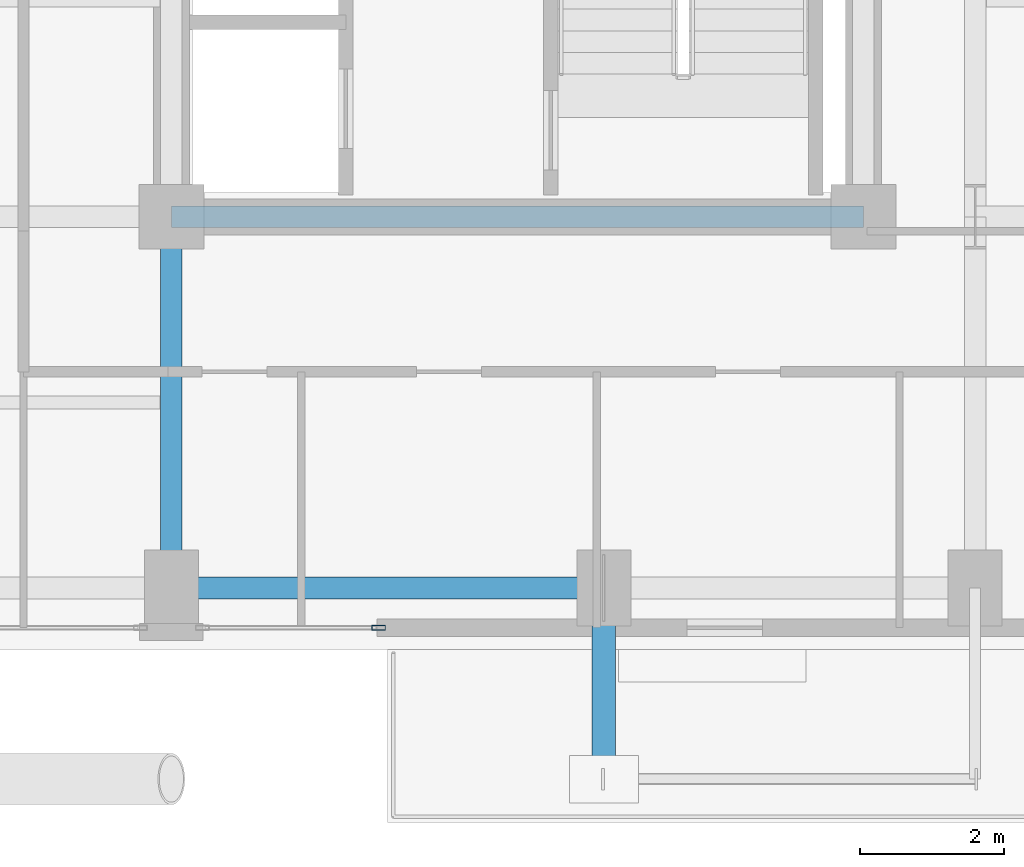
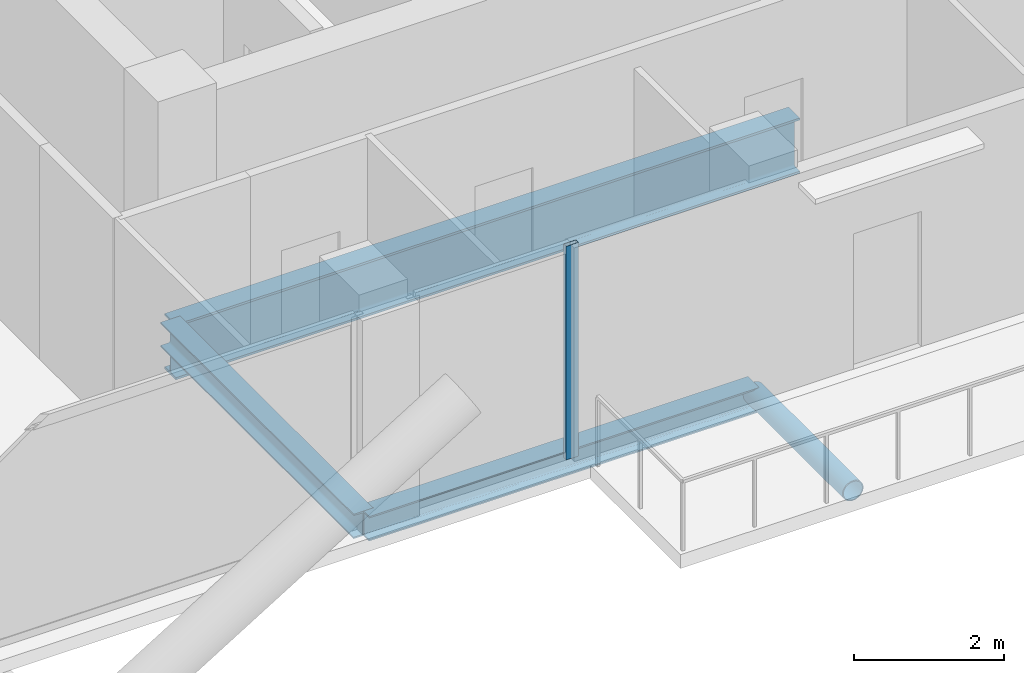
# One storey, part 5 of 26: 3 beams, 2 members, 1 element without a shape of its own.
"""IFC4 building model written with IfcOpenShell, lengths in metres."""

from ifc_helpers import new_model, si_unit, direction, frame, origin, origin_2d, place, context, subcontext, project, spatial, hollow_rectangle, hollow_circle, i_section, extrude, material, layer, layer_set, material_profile, profile_set, type_object, element, aggregate, save


model = new_model("IFC4")

# Units and contexts
model_context = context("Model", 3, precision=1e-05, world=origin(), true_north=direction((0.0, 1.0)))
body_context = subcontext(model_context, "Body", "Model", "MODEL_VIEW")
ifc_project = project(units=[si_unit("LENGTHUNIT", "METRE"), si_unit("AREAUNIT", "SQUARE_METRE"), si_unit("VOLUMEUNIT", "CUBIC_METRE"), si_unit("PLANEANGLEUNIT", "RADIAN"), si_unit("MASSUNIT", "GRAM", prefix="KILO"), si_unit("THERMODYNAMICTEMPERATUREUNIT", "KELVIN"), si_unit("POWERUNIT", "WATT")], contexts=[model_context])

# Site, building, storey
site_placement = place(None, origin())
site = spatial("IfcSite", under=ifc_project, at=site_placement, CompositionType="ELEMENT")
building_placement = place(site_placement, origin())
building = spatial("IfcBuilding", under=site, at=building_placement, Name="Svarakhadi Broadcast Tower", CompositionType="ELEMENT")
storey_placement = place(building_placement, frame((0.0, 0.0, 195.449951171875)))
storey = spatial("IfcBuildingStorey", under=building, at=storey_placement, Name="L48", CompositionType="ELEMENT", Elevation=195.449951171875)

# Curtain wall, member
ifc_material_1 = material(Name="Anodised Bronze Aluminium AA 6063-T6", Category="aluminium")
ifc_layer = layer(ifc_material_1, 0.18994140625)
ifc_layer_set = layer_set([ifc_layer], Name="Anodised Bronze Aluminium AA 6063-T6")
curtain_wall_type = type_object("IfcCurtainWallType", Name="CW_Sys_04", PredefinedType="NOTDEFINED", material=ifc_layer_set)
curtain_wall_placement = place(storey_placement, origin())
curtain_wall = element("IfcCurtainWall", 1, at=curtain_wall_placement, inside=storey, type_object=curtain_wall_type, Name="L48 South Curtain Wall 16 Bay 1", PredefinedType="NOTDEFINED")
ifc_material_profile_1 = material_profile(ifc_material_1, hollow_rectangle(XDim=0.070068359375, YDim=0.18994140625, WallThickness=0.005615234375, at=origin_2d()), Name="ALU MULLION 190x70x6")
ifc_profile_set_1 = profile_set([ifc_material_profile_1], Name="Anodised Bronze Aluminium AA 6063-T6")
member_type_1 = type_object("IfcMemberType", Name="CW_Sys_04_Mul", PredefinedType="MULLION", material=ifc_profile_set_1)
member_1_placement = place(storey_placement, frame((26.875, 0.300048828125, 0.0), z_axis=(0.0, 0.0, 1.0), x_axis=(0.0, -1.0, 0.0)))
member_1 = element("IfcMember", 2, at=member_1_placement, type_object=member_type_1, Name="CW-04 mullion 1", PredefinedType="MULLION", context=body_context, shape_type="SweptSolid", body=[
    extrude(hollow_rectangle(XDim=0.070068359375, YDim=0.18994140625, WallThickness=0.005615234375, at=origin_2d()), origin(), (0.0, 0.0, 1.0), 3.47509765625),
])
aggregate(curtain_wall, [member_1])

# Member
ifc_material_2 = material(Name="Steel S460ML (IS 2062 E450BR)", Category="steel")
ifc_material_profile_2 = material_profile(ifc_material_2, hollow_circle(Radius=0.161865234375, WallThickness=0.01611328125, at=origin_2d()), Name="CHS 323.9x16")
ifc_profile_set_2 = profile_set([ifc_material_profile_2], Name="Steel S460ML (IS 2062 E450BR)")
member_type_2 = type_object("IfcMemberType", Name="Exo_Radial_Strut_Z2", PredefinedType="STRUT", material=ifc_profile_set_2)
member_2_placement = place(storey_placement, frame((30.0, -1.800048828125, -0.371826171875), z_axis=(0.0, 1.0, 0.0), x_axis=(-1.0, 0.0, 0.0)))
element("IfcMember", 3, at=member_2_placement, inside=storey, type_object=member_type_2, Name="L48 Exoskeleton Radial Tie Strut S03", PredefinedType="STRUT", context=body_context, shape_type="SweptSolid", body=[
    extrude(hollow_circle(Radius=0.161865234375, WallThickness=0.01611328125, at=origin_2d()), origin(), (0.0, 0.0, 1.0), 2.650146484375),
])

# Beams
ifc_material_3 = material(Name="Steel S355J2 (IS 2062 E350C)", Category="steel")
ifc_material_profile_3 = material_profile(ifc_material_3, i_section(OverallWidth=0.300048828125, OverallDepth=0.39990234375, WebThickness=0.013427734375, FlangeThickness=0.02392578125, FilletRadius=0.027099609375, at=origin_2d()), Name="WPB 400x300x155")
ifc_profile_set_3 = profile_set([ifc_material_profile_3], Name="Steel S355J2 (IS 2062 E350C)")
beam_type_1 = type_object("IfcBeamType", Name="Girder_WPB400", PredefinedType="USERDEFINED", material=ifc_profile_set_3)
beam_1_placement = place(storey_placement, frame((24.0, 0.85009765625, -0.409912109375), z_axis=(1.0, 0.0, 0.0), x_axis=(0.0, 1.0, 0.0)))
element("IfcBeam", 4, at=beam_1_placement, inside=storey, type_object=beam_type_1, Name="L48 Primary E-W Girder G007", ObjectType="GIRDER", PredefinedType="USERDEFINED", context=body_context, shape_type="SweptSolid", body=[
    extrude(i_section(OverallWidth=0.300048828125, OverallDepth=0.39990234375, WebThickness=0.013427734375, FlangeThickness=0.02392578125, FilletRadius=0.027099609375, at=origin_2d()), origin(), (0.0, 0.0, 1.0), 6.0),
])
beam_2_placement = place(storey_placement, frame((24.0, 0.85009765625, -0.409912109375), z_axis=(0.0, 1.0, 0.0), x_axis=(-1.0, 0.0, 0.0)))
element("IfcBeam", 5, at=beam_2_placement, inside=storey, type_object=beam_type_1, Name="L48 Primary N-S Girder G051", ObjectType="GIRDER", PredefinedType="USERDEFINED", context=body_context, shape_type="SweptSolid", body=[
    extrude(i_section(OverallWidth=0.300048828125, OverallDepth=0.39990234375, WebThickness=0.013427734375, FlangeThickness=0.02392578125, FilletRadius=0.027099609375, at=origin_2d()), origin(), (0.0, 0.0, 1.0), 5.14990234375),
])
ifc_material_profile_4 = material_profile(ifc_material_2, i_section(OverallWidth=0.300048828125, OverallDepth=0.89990234375, WebThickness=0.0185546875, FlangeThickness=0.034912109375, FilletRadius=0.030029296875, at=origin_2d()), Name="WPB 900x300x291")
ifc_profile_set_4 = profile_set([ifc_material_profile_4], Name="Steel S460ML (IS 2062 E450BR)")
beam_type_2 = type_object("IfcBeamType", Name="Girder_WPB900", PredefinedType="USERDEFINED", material=ifc_profile_set_4)
beam_3_placement = place(storey_placement, frame((24.0, 6.0, -0.659912109375), z_axis=(1.0, 0.0, 0.0), x_axis=(0.0, 1.0, 0.0)))
element("IfcBeam", 6, at=beam_3_placement, inside=storey, type_object=beam_type_2, Name="L48 Primary E-W Girder G013", ObjectType="GIRDER", PredefinedType="USERDEFINED", context=body_context, shape_type="SweptSolid", body=[
    extrude(i_section(OverallWidth=0.300048828125, OverallDepth=0.89990234375, WebThickness=0.0185546875, FlangeThickness=0.034912109375, FilletRadius=0.030029296875, at=origin_2d()), origin(), (0.0, 0.0, 1.0), 9.60009765625),
])

save(model, "model.ifc")
